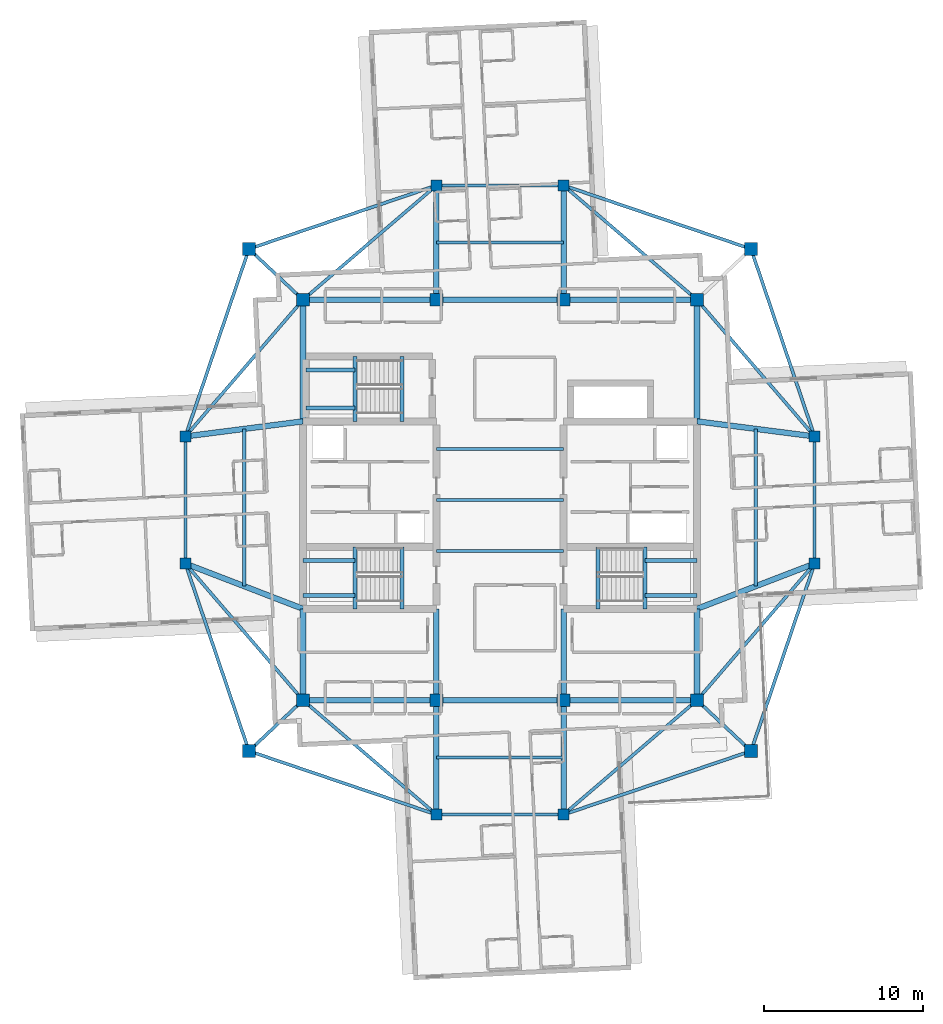
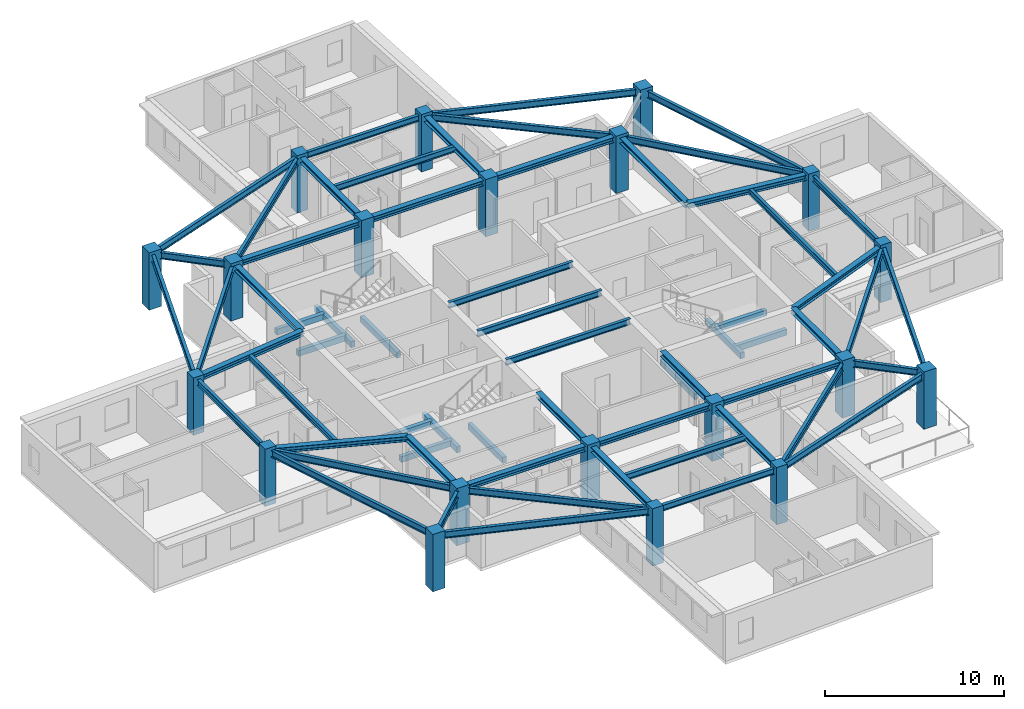
# One storey, part 1 of 13: 62 beams, 20 columns.
"""IFC4 building model written with IfcOpenShell, lengths in metres."""

from ifc_helpers import new_model, si_unit, direction, frame, origin, origin_2d, place, context, subcontext, project, spatial, rectangle, i_section, extrude, material, material_profile, profile_set, type_object, element, save


model = new_model("IFC4")

# Units and contexts
model_context = context("Model", 3, precision=1e-05, world=origin(), true_north=direction((0.0, 1.0)))
body_context = subcontext(model_context, "Body", "Model", "MODEL_VIEW")
ifc_project = project(units=[si_unit("LENGTHUNIT", "METRE"), si_unit("AREAUNIT", "SQUARE_METRE"), si_unit("VOLUMEUNIT", "CUBIC_METRE"), si_unit("PLANEANGLEUNIT", "RADIAN"), si_unit("MASSUNIT", "GRAM", prefix="KILO")], contexts=[model_context])

# Site, building, storey
site_placement = place(None, origin())
site = spatial("IfcSite", under=ifc_project, at=site_placement, CompositionType="ELEMENT")
building_placement = place(site_placement, origin())
building = spatial("IfcBuilding", under=site, at=building_placement, Name="Qingluan Cross Belvedere", CompositionType="ELEMENT")
storey_placement = place(building_placement, frame((0.0, 0.0, 277.199951171875)))
storey = spatial("IfcBuildingStorey", under=building, at=storey_placement, Name="L69", CompositionType="ELEMENT", Elevation=277.199951171875)

# Columns
ifc_material_1 = material(Name="Concrete C50", Category="concrete")
ifc_material_profile_1 = material_profile(ifc_material_1, rectangle(XDim=0.699951171875, YDim=0.699951171875, at=origin_2d()), Name="RC700x700")
ifc_profile_set_1 = profile_set([ifc_material_profile_1], Name="Concrete C50")
column_type_1 = type_object("IfcColumnType", Name="Column_RC700x700", PredefinedType="COLUMN", material=ifc_profile_set_1)
for number, where, z_axis, x_axis, name in (
    (1, (19.800048828125, -4.0, 0.0), (0.0, 0.0, 1.0), (1.0, 0.0, 0.0), "Arm column L69-EIA"),
    (2, (19.800048828125, 4.0, 0.0), (0.0, 0.0, 1.0), (1.0, 0.0, 0.0), "Arm column L69-EIB"),
    (3, (-19.800048828125, -4.0, 0.0), (0.0, 0.0, 1.0), (1.0, 0.0, 0.0), "Arm column L69-WIA"),
    (4, (-19.800048828125, 4.0, 0.0), (0.0, 0.0, 1.0), (1.0, 0.0, 0.0), "Arm column L69-WIB"),
    (5, (-4.0, -19.800048828125, 0.0), (0.0, 0.0, 1.0), (1.0, 0.0, 0.0), "Arm column L69-SIA"),
    (6, (4.0, -19.800048828125, 0.0), (0.0, 0.0, 1.0), (1.0, 0.0, 0.0), "Arm column L69-SIB"),
    (7, (-4.0, 19.800048828125, 0.0), (0.0, 0.0, 1.0), (1.0, 0.0, 0.0), "Arm column L69-NIA"),
    (8, (4.0, 19.800048828125, 0.0), (0.0, 0.0, 1.0), (1.0, 0.0, 0.0), "Arm column L69-NIB"),
):
    element("IfcColumn", number, at=place(storey_placement, frame(where, z_axis=z_axis, x_axis=x_axis)), inside=storey, type_object=column_type_1, Name=name, PredefinedType="COLUMN", context=body_context, shape_type="SweptSolid", body=[
        extrude(rectangle(XDim=0.699951171875, YDim=0.699951171875, at=origin_2d()), origin(), (0.0, 0.0, 1.0), 3.900146484375),
    ])
ifc_material_2 = material(Name="Concrete C50", Category="concrete")
ifc_material_profile_2 = material_profile(ifc_material_2, rectangle(XDim=0.800048828125, YDim=0.800048828125, at=origin_2d()), Name="RC800x800")
ifc_profile_set_2 = profile_set([ifc_material_profile_2], Name="Concrete C50")
column_type_2 = type_object("IfcColumnType", Name="Column_RC800x800", PredefinedType="COLUMN", material=ifc_profile_set_2)
for number, where, z_axis, x_axis, name in (
    (9, (15.800048828125, 15.800048828125, 0.0), (0.0, 0.0, 1.0), (1.0, 0.0, 0.0), "Corner column L69-RNE"),
    (10, (-15.800048828125, 15.800048828125, 0.0), (0.0, 0.0, 1.0), (1.0, 0.0, 0.0), "Corner column L69-RNW"),
    (11, (-15.800048828125, -15.800048828125, 0.0), (0.0, 0.0, 1.0), (1.0, 0.0, 0.0), "Corner column L69-RSW"),
    (12, (15.800048828125, -15.800048828125, 0.0), (0.0, 0.0, 1.0), (1.0, 0.0, 0.0), "Corner column L69-RSE"),
    (13, (-12.39990234375, -12.60009765625, 0.0), (0.0, 0.0, 1.0), (1.0, 0.0, 0.0), "Hub column L69-HC1"),
    (14, (12.39990234375, -12.60009765625, 0.0), (0.0, 0.0, 1.0), (1.0, 0.0, 0.0), "Hub column L69-HC2"),
    (15, (12.39990234375, 12.60009765625, 0.0), (0.0, 0.0, 1.0), (1.0, 0.0, 0.0), "Hub column L69-HC3"),
    (16, (-12.39990234375, 12.60009765625, 0.0), (0.0, 0.0, 1.0), (1.0, 0.0, 0.0), "Hub column L69-HC4"),
    (17, (-4.0, -12.60009765625, 0.0), (0.0, 0.0, 1.0), (1.0, 0.0, 0.0), "Hub column L69-HC5"),
    (18, (4.0, -12.60009765625, 0.0), (0.0, 0.0, 1.0), (1.0, 0.0, 0.0), "Hub column L69-HC6"),
    (19, (4.0, 12.60009765625, 0.0), (0.0, 0.0, 1.0), (1.0, 0.0, 0.0), "Hub column L69-HC7"),
    (20, (-4.0, 12.60009765625, 0.0), (0.0, 0.0, 1.0), (1.0, 0.0, 0.0), "Hub column L69-HC8"),
):
    element("IfcColumn", number, at=place(storey_placement, frame(where, z_axis=z_axis, x_axis=x_axis)), inside=storey, type_object=column_type_2, Name=name, PredefinedType="COLUMN", context=body_context, shape_type="SweptSolid", body=[
        extrude(rectangle(XDim=0.800048828125, YDim=0.800048828125, at=origin_2d()), origin(), (0.0, 0.0, 1.0), 3.900146484375),
    ])

# Beams
ifc_material_3 = material(Name="Concrete C45", Category="concrete")
ifc_material_profile_3 = material_profile(ifc_material_3, rectangle(XDim=0.25, YDim=0.39990234375, at=origin_2d()), Name="RC250x400")
ifc_profile_set_3 = profile_set([ifc_material_profile_3], Name="Concrete C45")
beam_type_1 = type_object("IfcBeamType", Name="RC_Lintel_RC250x400", PredefinedType="LINTEL", material=ifc_profile_set_3)
for number, where, z_axis, x_axis, name in (
    (21, (-6.179931640625, -6.85009765625, -0.199951171875), (0.0, 1.0, 0.0), (-1.0, 0.0, 0.0), "Stair ST1 landing beam L69"),
    (22, (6.179931640625, -6.85009765625, -0.199951171875), (0.0, 1.0, 0.0), (-1.0, 0.0, 0.0), "Stair ST2 landing beam L69"),
):
    element("IfcBeam", number, at=place(storey_placement, frame(where, z_axis=z_axis, x_axis=x_axis)), inside=storey, type_object=beam_type_1, Name=name, PredefinedType="LINTEL", context=body_context, shape_type="SweptSolid", body=[
        extrude(rectangle(XDim=0.25, YDim=0.39990234375, at=origin_2d()), origin(), (0.0, 0.0, 1.0), 3.89013671875),
    ])
beam_1_placement = place(storey_placement, frame((-6.179931640625, 4.949951171875, -0.199951171875), z_axis=(0.0, 1.0, 0.0), x_axis=(-1.0, 0.0, 0.0)))
element("IfcBeam", 23, at=beam_1_placement, inside=storey, type_object=beam_type_1, Name="Stair ST3 landing beam L69", PredefinedType="LINTEL", context=body_context, shape_type="SweptSolid", body=[
    extrude(rectangle(XDim=0.25, YDim=0.39990234375, at=origin_2d()), origin(), (0.0, 0.0, 1.0), 4.090087890625),
])
beam_2_placement = place(storey_placement, frame((-9.1298828125, -6.85009765625, 1.550048828125), z_axis=(0.0, 1.0, 0.0), x_axis=(-1.0, 0.0, 0.0)))
element("IfcBeam", 24, at=beam_2_placement, inside=storey, type_object=beam_type_1, Name="Stair ST1 beam A L69", PredefinedType="LINTEL", context=body_context, shape_type="SweptSolid", body=[
    extrude(rectangle(XDim=0.25, YDim=0.39990234375, at=origin_2d()), origin(), (0.0, 0.0, 1.0), 3.89013671875),
])
for number, where, z_axis, x_axis, name in (
    (25, (-12.39990234375, -6.0, 1.550048828125), (1.0, 0.0, 0.0), (0.0, 1.0, 0.0), "Stair ST1 beam B L69"),
    (26, (-12.39990234375, -3.81005859375, 1.550048828125), (1.0, 0.0, 0.0), (0.0, 1.0, 0.0), "Stair ST1 beam C L69"),
):
    element("IfcBeam", number, at=place(storey_placement, frame(where, z_axis=z_axis, x_axis=x_axis)), inside=storey, type_object=beam_type_1, Name=name, PredefinedType="LINTEL", context=body_context, shape_type="SweptSolid", body=[
        extrude(rectangle(XDim=0.25, YDim=0.39990234375, at=origin_2d()), origin(), (0.0, 0.0, 1.0), 3.27001953125),
    ])
beam_3_placement = place(storey_placement, frame((9.1298828125, -6.85009765625, 1.550048828125), z_axis=(0.0, 1.0, 0.0), x_axis=(-1.0, 0.0, 0.0)))
element("IfcBeam", 27, at=beam_3_placement, inside=storey, type_object=beam_type_1, Name="Stair ST2 beam A L69", PredefinedType="LINTEL", context=body_context, shape_type="SweptSolid", body=[
    extrude(rectangle(XDim=0.25, YDim=0.39990234375, at=origin_2d()), origin(), (0.0, 0.0, 1.0), 3.89013671875),
])
for number, where, z_axis, x_axis, name in (
    (28, (12.39990234375, -6.0, 1.550048828125), (-1.0, 0.0, 0.0), (0.0, -1.0, 0.0), "Stair ST2 beam B L69"),
    (29, (12.39990234375, -3.81005859375, 1.550048828125), (-1.0, 0.0, 0.0), (0.0, -1.0, 0.0), "Stair ST2 beam C L69"),
):
    element("IfcBeam", number, at=place(storey_placement, frame(where, z_axis=z_axis, x_axis=x_axis)), inside=storey, type_object=beam_type_1, Name=name, PredefinedType="LINTEL", context=body_context, shape_type="SweptSolid", body=[
        extrude(rectangle(XDim=0.25, YDim=0.39990234375, at=origin_2d()), origin(), (0.0, 0.0, 1.0), 3.27001953125),
    ])
beam_4_placement = place(storey_placement, frame((-9.1298828125, 4.949951171875, 1.550048828125), z_axis=(0.0, 1.0, 0.0), x_axis=(-1.0, 0.0, 0.0)))
element("IfcBeam", 30, at=beam_4_placement, inside=storey, type_object=beam_type_1, Name="Stair ST3 beam A L69", PredefinedType="LINTEL", context=body_context, shape_type="SweptSolid", body=[
    extrude(rectangle(XDim=0.25, YDim=0.39990234375, at=origin_2d()), origin(), (0.0, 0.0, 1.0), 4.090087890625),
])
for number, where, z_axis, x_axis, name in (
    (31, (-12.219970703125, 5.800048828125, 1.550048828125), (1.0, 0.0, 0.0), (0.0, 1.0, 0.0), "Stair ST3 beam B L69"),
    (32, (-12.219970703125, 8.18994140625, 1.550048828125), (1.0, 0.0, 0.0), (0.0, 1.0, 0.0), "Stair ST3 beam C L69"),
):
    element("IfcBeam", number, at=place(storey_placement, frame(where, z_axis=z_axis, x_axis=x_axis)), inside=storey, type_object=beam_type_1, Name=name, PredefinedType="LINTEL", context=body_context, shape_type="SweptSolid", body=[
        extrude(rectangle(XDim=0.25, YDim=0.39990234375, at=origin_2d()), origin(), (0.0, 0.0, 1.0), 3.090087890625),
    ])
ifc_material_4 = material(Name="Steel Q420GJB", Category="steel")
ifc_material_profile_4 = material_profile(ifc_material_4, i_section(OverallWidth=0.199951171875, OverallDepth=0.39990234375, WebThickness=0.008056640625, FlangeThickness=0.012939453125, FilletRadius=0.012939453125, at=origin_2d()), Name="HN400x200x8x13")
ifc_profile_set_4 = profile_set([ifc_material_profile_4], Name="Steel Q420GJB")
beam_type_2 = type_object("IfcBeamType", Name="Steel_Beam_HN400x200x8x13", PredefinedType="JOIST", material=ifc_profile_set_4)
for number, where, z_axis, x_axis, name in (
    (33, (-4.0, -3.199951171875, 3.5), (1.0, 0.0, 0.0), (0.0, 1.0, 0.0), "Hall beam L69-CH1"),
    (34, (-4.0, 0.0, 3.5), (1.0, 0.0, 0.0), (0.0, 1.0, 0.0), "Hall beam L69-CH2"),
    (35, (-4.0, 3.199951171875, 3.5), (1.0, 0.0, 0.0), (0.0, 1.0, 0.0), "Hall beam L69-CH3"),
    (36, (19.800048828125, -4.0, 3.5), (0.0, 1.0, 0.0), (-1.0, 0.0, 0.0), "Arm E tie L69"),
):
    element("IfcBeam", number, at=place(storey_placement, frame(where, z_axis=z_axis, x_axis=x_axis)), inside=storey, type_object=beam_type_2, Name=name, PredefinedType="JOIST", context=body_context, shape_type="SweptSolid", body=[
        extrude(i_section(OverallWidth=0.199951171875, OverallDepth=0.39990234375, WebThickness=0.008056640625, FlangeThickness=0.012939453125, FilletRadius=0.012939453125, at=origin_2d()), origin(), (0.0, 0.0, 1.0), 8.0),
    ])
beam_5_placement = place(storey_placement, frame((16.10009765625, -5.425048828125, 3.5), z_axis=(0.0, 1.0, 0.0), x_axis=(-1.0, 0.0, 0.0)))
element("IfcBeam", 37, at=beam_5_placement, inside=storey, type_object=beam_type_2, Name="Arm E beam L69", PredefinedType="JOIST", context=body_context, shape_type="SweptSolid", body=[
    extrude(i_section(OverallWidth=0.199951171875, OverallDepth=0.39990234375, WebThickness=0.008056640625, FlangeThickness=0.012939453125, FilletRadius=0.012939453125, at=origin_2d()), origin(), (0.0, 0.0, 1.0), 9.900146484375),
])
beam_6_placement = place(storey_placement, frame((-19.800048828125, -4.0, 3.5), z_axis=(0.0, 1.0, 0.0), x_axis=(-1.0, 0.0, 0.0)))
element("IfcBeam", 38, at=beam_6_placement, inside=storey, type_object=beam_type_2, Name="Arm W tie L69", PredefinedType="JOIST", context=body_context, shape_type="SweptSolid", body=[
    extrude(i_section(OverallWidth=0.199951171875, OverallDepth=0.39990234375, WebThickness=0.008056640625, FlangeThickness=0.012939453125, FilletRadius=0.012939453125, at=origin_2d()), origin(), (0.0, 0.0, 1.0), 8.0),
])
beam_7_placement = place(storey_placement, frame((-16.10009765625, -5.425048828125, 3.5), z_axis=(0.0, 1.0, 0.0), x_axis=(-1.0, 0.0, 0.0)))
element("IfcBeam", 39, at=beam_7_placement, inside=storey, type_object=beam_type_2, Name="Arm W beam L69", PredefinedType="JOIST", context=body_context, shape_type="SweptSolid", body=[
    extrude(i_section(OverallWidth=0.199951171875, OverallDepth=0.39990234375, WebThickness=0.008056640625, FlangeThickness=0.012939453125, FilletRadius=0.012939453125, at=origin_2d()), origin(), (0.0, 0.0, 1.0), 9.900146484375),
])
for number, where, z_axis, x_axis, name in (
    (40, (-4.0, 19.800048828125, 3.5), (1.0, 0.0, 0.0), (0.0, 1.0, 0.0), "Arm N tie L69"),
    (41, (-4.0, 16.199951171875, 3.5), (1.0, 0.0, 0.0), (0.0, 1.0, 0.0), "Arm N beam L69"),
    (42, (-4.0, -19.800048828125, 3.5), (1.0, 0.0, 0.0), (0.0, 1.0, 0.0), "Arm S tie L69"),
    (43, (-4.0, -16.199951171875, 3.5), (1.0, 0.0, 0.0), (0.0, 1.0, 0.0), "Arm S beam L69"),
):
    element("IfcBeam", number, at=place(storey_placement, frame(where, z_axis=z_axis, x_axis=x_axis)), inside=storey, type_object=beam_type_2, Name=name, PredefinedType="JOIST", context=body_context, shape_type="SweptSolid", body=[
        extrude(i_section(OverallWidth=0.199951171875, OverallDepth=0.39990234375, WebThickness=0.008056640625, FlangeThickness=0.012939453125, FilletRadius=0.012939453125, at=origin_2d()), origin(), (0.0, 0.0, 1.0), 8.0),
    ])
ifc_material_5 = material(Name="Steel Q420GJB", Category="steel")
ifc_material_profile_5 = material_profile(ifc_material_5, i_section(OverallWidth=0.199951171875, OverallDepth=0.449951171875, WebThickness=0.009033203125, FlangeThickness=0.013916015625, FilletRadius=0.01611328125, at=origin_2d()), Name="HN450x200x9x14")
ifc_profile_set_5 = profile_set([ifc_material_profile_5], Name="Steel Q420GJB")
beam_type_3 = type_object("IfcBeamType", Name="Steel_Beam_HN450x200x9x14", PredefinedType="JOIST", material=ifc_profile_set_5)
for number, where, z_axis, x_axis, name in (
    (44, (15.800048828125, 15.800048828125, 3.47509765625), (-0.947066283324, 0.321038089628, 0.0), (-0.321038089628, -0.947066283324, 0.0), "Corner beam 2 L69-RNE"),
    (45, (15.800048828125, 15.800048828125, 3.47509765625), (0.321038089628, -0.947066283324, 0.0), (0.947066283324, 0.321038089628, 0.0), "Corner beam 3 L69-RNE"),
):
    element("IfcBeam", number, at=place(storey_placement, frame(where, z_axis=z_axis, x_axis=x_axis)), inside=storey, type_object=beam_type_3, Name=name, PredefinedType="JOIST", context=body_context, shape_type="SweptSolid", body=[
        extrude(i_section(OverallWidth=0.199951171875, OverallDepth=0.449951171875, WebThickness=0.009033203125, FlangeThickness=0.013916015625, FilletRadius=0.01611328125, at=origin_2d()), origin(), (0.0, 0.0, 1.0), 12.45947265625),
    ])
beam_8_placement = place(storey_placement, frame((12.39990234375, 12.60009765625, 3.47509765625), z_axis=(0.652245077546, -0.75800815221, 0.0), x_axis=(0.75800815221, 0.652245077546, 0.0)))
element("IfcBeam", 46, at=beam_8_placement, inside=storey, type_object=beam_type_3, Name="Corner beam 4 L69-RNE", PredefinedType="JOIST", context=body_context, shape_type="SweptSolid", body=[
    extrude(i_section(OverallWidth=0.199951171875, OverallDepth=0.449951171875, WebThickness=0.009033203125, FlangeThickness=0.013916015625, FilletRadius=0.01611328125, at=origin_2d()), origin(), (0.0, 0.0, 1.0), 11.345703125),
])
beam_9_placement = place(storey_placement, frame((12.39990234375, 12.60009765625, 3.47509765625), z_axis=(-0.759255044656, 0.650793190779, 0.0), x_axis=(-0.650793190779, -0.759255044656, 0.0)))
element("IfcBeam", 47, at=beam_9_placement, inside=storey, type_object=beam_type_3, Name="Corner beam 5 L69-RNE", PredefinedType="JOIST", context=body_context, shape_type="SweptSolid", body=[
    extrude(i_section(OverallWidth=0.199951171875, OverallDepth=0.449951171875, WebThickness=0.009033203125, FlangeThickness=0.013916015625, FilletRadius=0.01611328125, at=origin_2d()), origin(), (0.0, 0.0, 1.0), 11.063232421875),
])
beam_10_placement = place(storey_placement, frame((-12.39990234375, 12.60009765625, 3.47509765625), z_axis=(-0.728219948308, 0.685343495546, 0.0), x_axis=(-0.685343495546, -0.728219948308, 0.0)))
element("IfcBeam", 48, at=beam_10_placement, inside=storey, type_object=beam_type_3, Name="Corner beam 1 L69-RNW", PredefinedType="JOIST", context=body_context, shape_type="SweptSolid", body=[
    extrude(i_section(OverallWidth=0.199951171875, OverallDepth=0.449951171875, WebThickness=0.009033203125, FlangeThickness=0.013916015625, FilletRadius=0.01611328125, at=origin_2d()), origin(), (0.0, 0.0, 1.0), 4.669189453125),
])
for number, where, z_axis, x_axis, name in (
    (49, (-15.800048828125, 15.800048828125, 3.47509765625), (0.947066283324, 0.321038089628, 0.0), (-0.321038089628, 0.947066283324, 0.0), "Corner beam 2 L69-RNW"),
    (50, (-15.800048828125, 15.800048828125, 3.47509765625), (-0.321038089628, -0.947066283324, 0.0), (0.947066283324, -0.321038089628, 0.0), "Corner beam 3 L69-RNW"),
):
    element("IfcBeam", number, at=place(storey_placement, frame(where, z_axis=z_axis, x_axis=x_axis)), inside=storey, type_object=beam_type_3, Name=name, PredefinedType="JOIST", context=body_context, shape_type="SweptSolid", body=[
        extrude(i_section(OverallWidth=0.199951171875, OverallDepth=0.449951171875, WebThickness=0.009033203125, FlangeThickness=0.013916015625, FilletRadius=0.01611328125, at=origin_2d()), origin(), (0.0, 0.0, 1.0), 12.45947265625),
    ])
beam_11_placement = place(storey_placement, frame((-12.39990234375, 12.60009765625, 3.47509765625), z_axis=(-0.652245077546, -0.75800815221, 0.0), x_axis=(0.75800815221, -0.652245077546, 0.0)))
element("IfcBeam", 51, at=beam_11_placement, inside=storey, type_object=beam_type_3, Name="Corner beam 4 L69-RNW", PredefinedType="JOIST", context=body_context, shape_type="SweptSolid", body=[
    extrude(i_section(OverallWidth=0.199951171875, OverallDepth=0.449951171875, WebThickness=0.009033203125, FlangeThickness=0.013916015625, FilletRadius=0.01611328125, at=origin_2d()), origin(), (0.0, 0.0, 1.0), 11.345703125),
])
beam_12_placement = place(storey_placement, frame((-12.39990234375, 12.60009765625, 3.47509765625), z_axis=(0.759255044656, 0.650793190779, 0.0), x_axis=(-0.650793190779, 0.759255044656, 0.0)))
element("IfcBeam", 52, at=beam_12_placement, inside=storey, type_object=beam_type_3, Name="Corner beam 5 L69-RNW", PredefinedType="JOIST", context=body_context, shape_type="SweptSolid", body=[
    extrude(i_section(OverallWidth=0.199951171875, OverallDepth=0.449951171875, WebThickness=0.009033203125, FlangeThickness=0.013916015625, FilletRadius=0.01611328125, at=origin_2d()), origin(), (0.0, 0.0, 1.0), 11.063232421875),
])
beam_13_placement = place(storey_placement, frame((-12.39990234375, -12.60009765625, 3.47509765625), z_axis=(-0.728219948308, -0.685343495546, 0.0), x_axis=(0.685343495546, -0.728219948308, 0.0)))
element("IfcBeam", 53, at=beam_13_placement, inside=storey, type_object=beam_type_3, Name="Corner beam 1 L69-RSW", PredefinedType="JOIST", context=body_context, shape_type="SweptSolid", body=[
    extrude(i_section(OverallWidth=0.199951171875, OverallDepth=0.449951171875, WebThickness=0.009033203125, FlangeThickness=0.013916015625, FilletRadius=0.01611328125, at=origin_2d()), origin(), (0.0, 0.0, 1.0), 4.669189453125),
])
for number, where, z_axis, x_axis, name in (
    (54, (-15.800048828125, -15.800048828125, 3.47509765625), (0.947066283324, -0.321038089628, 0.0), (0.321038089628, 0.947066283324, 0.0), "Corner beam 2 L69-RSW"),
    (55, (-15.800048828125, -15.800048828125, 3.47509765625), (-0.321038089628, 0.947066283324, 0.0), (-0.947066283324, -0.321038089628, 0.0), "Corner beam 3 L69-RSW"),
):
    element("IfcBeam", number, at=place(storey_placement, frame(where, z_axis=z_axis, x_axis=x_axis)), inside=storey, type_object=beam_type_3, Name=name, PredefinedType="JOIST", context=body_context, shape_type="SweptSolid", body=[
        extrude(i_section(OverallWidth=0.199951171875, OverallDepth=0.449951171875, WebThickness=0.009033203125, FlangeThickness=0.013916015625, FilletRadius=0.01611328125, at=origin_2d()), origin(), (0.0, 0.0, 1.0), 12.45947265625),
    ])
beam_14_placement = place(storey_placement, frame((-12.39990234375, -12.60009765625, 3.47509765625), z_axis=(-0.652245077546, 0.75800815221, 0.0), x_axis=(-0.75800815221, -0.652245077546, 0.0)))
element("IfcBeam", 56, at=beam_14_placement, inside=storey, type_object=beam_type_3, Name="Corner beam 4 L69-RSW", PredefinedType="JOIST", context=body_context, shape_type="SweptSolid", body=[
    extrude(i_section(OverallWidth=0.199951171875, OverallDepth=0.449951171875, WebThickness=0.009033203125, FlangeThickness=0.013916015625, FilletRadius=0.01611328125, at=origin_2d()), origin(), (0.0, 0.0, 1.0), 11.345703125),
])
beam_15_placement = place(storey_placement, frame((-12.39990234375, -12.60009765625, 3.47509765625), z_axis=(0.759255044656, -0.650793190779, 0.0), x_axis=(0.650793190779, 0.759255044656, 0.0)))
element("IfcBeam", 57, at=beam_15_placement, inside=storey, type_object=beam_type_3, Name="Corner beam 5 L69-RSW", PredefinedType="JOIST", context=body_context, shape_type="SweptSolid", body=[
    extrude(i_section(OverallWidth=0.199951171875, OverallDepth=0.449951171875, WebThickness=0.009033203125, FlangeThickness=0.013916015625, FilletRadius=0.01611328125, at=origin_2d()), origin(), (0.0, 0.0, 1.0), 11.063232421875),
])
beam_16_placement = place(storey_placement, frame((12.39990234375, -12.60009765625, 3.455078125), z_axis=(0.728219948308, -0.685343495546, 0.0), x_axis=(0.685343495546, 0.728219948308, 0.0)))
element("IfcBeam", 58, at=beam_16_placement, inside=storey, type_object=beam_type_3, Name="Corner beam 1 L69-RSE", PredefinedType="JOIST", context=body_context, shape_type="SweptSolid", body=[
    extrude(i_section(OverallWidth=0.199951171875, OverallDepth=0.449951171875, WebThickness=0.009033203125, FlangeThickness=0.013916015625, FilletRadius=0.01611328125, at=origin_2d()), origin(), (0.0, 0.0, 1.0), 4.669189453125),
])
for number, where, z_axis, x_axis, name in (
    (59, (15.800048828125, -15.800048828125, 3.455078125), (-0.947066283324, -0.321038089628, 0.0), (0.321038089628, -0.947066283324, 0.0), "Corner beam 2 L69-RSE"),
    (60, (15.800048828125, -15.800048828125, 3.455078125), (0.321038089628, 0.947066283324, 0.0), (-0.947066283324, 0.321038089628, 0.0), "Corner beam 3 L69-RSE"),
):
    element("IfcBeam", number, at=place(storey_placement, frame(where, z_axis=z_axis, x_axis=x_axis)), inside=storey, type_object=beam_type_3, Name=name, PredefinedType="JOIST", context=body_context, shape_type="SweptSolid", body=[
        extrude(i_section(OverallWidth=0.199951171875, OverallDepth=0.449951171875, WebThickness=0.009033203125, FlangeThickness=0.013916015625, FilletRadius=0.01611328125, at=origin_2d()), origin(), (0.0, 0.0, 1.0), 12.45947265625),
    ])
beam_17_placement = place(storey_placement, frame((12.39990234375, -12.60009765625, 3.455078125), z_axis=(0.652245077546, 0.75800815221, 0.0), x_axis=(-0.75800815221, 0.652245077546, 0.0)))
element("IfcBeam", 61, at=beam_17_placement, inside=storey, type_object=beam_type_3, Name="Corner beam 4 L69-RSE", PredefinedType="JOIST", context=body_context, shape_type="SweptSolid", body=[
    extrude(i_section(OverallWidth=0.199951171875, OverallDepth=0.449951171875, WebThickness=0.009033203125, FlangeThickness=0.013916015625, FilletRadius=0.01611328125, at=origin_2d()), origin(), (0.0, 0.0, 1.0), 11.345703125),
])
beam_18_placement = place(storey_placement, frame((12.39990234375, -12.60009765625, 3.455078125), z_axis=(-0.759255044656, -0.650793190779, 0.0), x_axis=(0.650793190779, -0.759255044656, 0.0)))
element("IfcBeam", 62, at=beam_18_placement, inside=storey, type_object=beam_type_3, Name="Corner beam 5 L69-RSE", PredefinedType="JOIST", context=body_context, shape_type="SweptSolid", body=[
    extrude(i_section(OverallWidth=0.199951171875, OverallDepth=0.449951171875, WebThickness=0.009033203125, FlangeThickness=0.013916015625, FilletRadius=0.01611328125, at=origin_2d()), origin(), (0.0, 0.0, 1.0), 11.063232421875),
])
ifc_material_6 = material(Name="Steel Q420GJB", Category="steel")
ifc_material_profile_6 = material_profile(ifc_material_6, i_section(OverallWidth=0.35009765625, OverallDepth=0.35009765625, WebThickness=0.011962890625, FlangeThickness=0.01904296875, FilletRadius=0.02001953125, at=origin_2d()), Name="HW350x350x12x19")
ifc_profile_set_6 = profile_set([ifc_material_profile_6], Name="Steel Q420GJB")
beam_type_4 = type_object("IfcBeamType", Name="Steel_Girder_HW350x350x12x19", PredefinedType="USERDEFINED", material=ifc_profile_set_6)
beam_19_placement = place(storey_placement, frame((-12.39990234375, -12.60009765625, 3.525146484375), z_axis=(1.0, 0.0, 0.0), x_axis=(0.0, 1.0, 0.0)))
element("IfcBeam", 63, at=beam_19_placement, inside=storey, type_object=beam_type_4, Name="Hub girder L69-HG-S1", ObjectType="GIRDER", PredefinedType="USERDEFINED", context=body_context, shape_type="SweptSolid", body=[
    extrude(i_section(OverallWidth=0.35009765625, OverallDepth=0.35009765625, WebThickness=0.011962890625, FlangeThickness=0.01904296875, FilletRadius=0.02001953125, at=origin_2d()), origin(), (0.0, 0.0, 1.0), 8.39990234375),
])
beam_20_placement = place(storey_placement, frame((-4.0, -12.60009765625, 3.525146484375), z_axis=(1.0, 0.0, 0.0), x_axis=(0.0, 1.0, 0.0)))
element("IfcBeam", 64, at=beam_20_placement, inside=storey, type_object=beam_type_4, Name="Hub girder L69-HG-S2", ObjectType="GIRDER", PredefinedType="USERDEFINED", context=body_context, shape_type="SweptSolid", body=[
    extrude(i_section(OverallWidth=0.35009765625, OverallDepth=0.35009765625, WebThickness=0.011962890625, FlangeThickness=0.01904296875, FilletRadius=0.02001953125, at=origin_2d()), origin(), (0.0, 0.0, 1.0), 8.0),
])
for number, where, z_axis, x_axis, name in (
    (65, (4.0, -12.60009765625, 3.525146484375), (1.0, 0.0, 0.0), (0.0, 1.0, 0.0), "Hub girder L69-HG-S3"),
    (66, (-12.39990234375, 12.60009765625, 3.525146484375), (1.0, 0.0, 0.0), (0.0, 1.0, 0.0), "Hub girder L69-HG-N1"),
):
    element("IfcBeam", number, at=place(storey_placement, frame(where, z_axis=z_axis, x_axis=x_axis)), inside=storey, type_object=beam_type_4, Name=name, ObjectType="GIRDER", PredefinedType="USERDEFINED", context=body_context, shape_type="SweptSolid", body=[
        extrude(i_section(OverallWidth=0.35009765625, OverallDepth=0.35009765625, WebThickness=0.011962890625, FlangeThickness=0.01904296875, FilletRadius=0.02001953125, at=origin_2d()), origin(), (0.0, 0.0, 1.0), 8.39990234375),
    ])
beam_21_placement = place(storey_placement, frame((-4.0, 12.60009765625, 3.525146484375), z_axis=(1.0, 0.0, 0.0), x_axis=(0.0, 1.0, 0.0)))
element("IfcBeam", 67, at=beam_21_placement, inside=storey, type_object=beam_type_4, Name="Hub girder L69-HG-N2", ObjectType="GIRDER", PredefinedType="USERDEFINED", context=body_context, shape_type="SweptSolid", body=[
    extrude(i_section(OverallWidth=0.35009765625, OverallDepth=0.35009765625, WebThickness=0.011962890625, FlangeThickness=0.01904296875, FilletRadius=0.02001953125, at=origin_2d()), origin(), (0.0, 0.0, 1.0), 8.0),
])
beam_22_placement = place(storey_placement, frame((4.0, 12.60009765625, 3.525146484375), z_axis=(1.0, 0.0, 0.0), x_axis=(0.0, 1.0, 0.0)))
element("IfcBeam", 68, at=beam_22_placement, inside=storey, type_object=beam_type_4, Name="Hub girder L69-HG-N3", ObjectType="GIRDER", PredefinedType="USERDEFINED", context=body_context, shape_type="SweptSolid", body=[
    extrude(i_section(OverallWidth=0.35009765625, OverallDepth=0.35009765625, WebThickness=0.011962890625, FlangeThickness=0.01904296875, FilletRadius=0.02001953125, at=origin_2d()), origin(), (0.0, 0.0, 1.0), 8.39990234375),
])
beam_23_placement = place(storey_placement, frame((-12.39990234375, -12.60009765625, 3.525146484375), z_axis=(0.0, 1.0, 0.0), x_axis=(-1.0, 0.0, 0.0)))
element("IfcBeam", 69, at=beam_23_placement, inside=storey, type_object=beam_type_4, Name="Hub girder L69-HG-W1", ObjectType="GIRDER", PredefinedType="USERDEFINED", context=body_context, shape_type="SweptSolid", body=[
    extrude(i_section(OverallWidth=0.35009765625, OverallDepth=0.35009765625, WebThickness=0.011962890625, FlangeThickness=0.01904296875, FilletRadius=0.02001953125, at=origin_2d()), origin(), (0.0, 0.0, 1.0), 5.75),
])
beam_24_placement = place(storey_placement, frame((-12.39990234375, 4.949951171875, 3.525146484375), z_axis=(0.0, 1.0, 0.0), x_axis=(-1.0, 0.0, 0.0)))
element("IfcBeam", 70, at=beam_24_placement, inside=storey, type_object=beam_type_4, Name="Hub girder L69-HG-W2", ObjectType="GIRDER", PredefinedType="USERDEFINED", context=body_context, shape_type="SweptSolid", body=[
    extrude(i_section(OverallWidth=0.35009765625, OverallDepth=0.35009765625, WebThickness=0.011962890625, FlangeThickness=0.01904296875, FilletRadius=0.02001953125, at=origin_2d()), origin(), (0.0, 0.0, 1.0), 7.650146484375),
])
beam_25_placement = place(storey_placement, frame((12.39990234375, -12.60009765625, 3.525146484375), z_axis=(0.0, 1.0, 0.0), x_axis=(-1.0, 0.0, 0.0)))
element("IfcBeam", 71, at=beam_25_placement, inside=storey, type_object=beam_type_4, Name="Hub girder L69-HG-E1", ObjectType="GIRDER", PredefinedType="USERDEFINED", context=body_context, shape_type="SweptSolid", body=[
    extrude(i_section(OverallWidth=0.35009765625, OverallDepth=0.35009765625, WebThickness=0.011962890625, FlangeThickness=0.01904296875, FilletRadius=0.02001953125, at=origin_2d()), origin(), (0.0, 0.0, 1.0), 5.75),
])
beam_26_placement = place(storey_placement, frame((12.39990234375, 4.949951171875, 3.525146484375), z_axis=(0.0, 1.0, 0.0), x_axis=(-1.0, 0.0, 0.0)))
element("IfcBeam", 72, at=beam_26_placement, inside=storey, type_object=beam_type_4, Name="Hub girder L69-HG-E2", ObjectType="GIRDER", PredefinedType="USERDEFINED", context=body_context, shape_type="SweptSolid", body=[
    extrude(i_section(OverallWidth=0.35009765625, OverallDepth=0.35009765625, WebThickness=0.011962890625, FlangeThickness=0.01904296875, FilletRadius=0.02001953125, at=origin_2d()), origin(), (0.0, 0.0, 1.0), 7.650146484375),
])
for number, where, z_axis, x_axis, name in (
    (73, (-4.0, -12.60009765625, 3.525146484375), (0.0, 1.0, 0.0), (-1.0, 0.0, 0.0), "Hub girder L69-HG-CW"),
    (74, (4.0, -12.60009765625, 3.525146484375), (0.0, 1.0, 0.0), (-1.0, 0.0, 0.0), "Hub girder L69-HG-CE"),
):
    element("IfcBeam", number, at=place(storey_placement, frame(where, z_axis=z_axis, x_axis=x_axis)), inside=storey, type_object=beam_type_4, Name=name, ObjectType="GIRDER", PredefinedType="USERDEFINED", context=body_context, shape_type="SweptSolid", body=[
        extrude(i_section(OverallWidth=0.35009765625, OverallDepth=0.35009765625, WebThickness=0.011962890625, FlangeThickness=0.01904296875, FilletRadius=0.02001953125, at=origin_2d()), origin(), (0.0, 0.0, 1.0), 5.75),
    ])
beam_27_placement = place(storey_placement, frame((12.39990234375, -6.85009765625, 3.525146484375), z_axis=(0.933181258889, 0.359406090735, 0.0), x_axis=(-0.359406090735, 0.933181258889, 0.0)))
element("IfcBeam", 75, at=beam_27_placement, inside=storey, type_object=beam_type_4, Name="Arm E radial girder A L69", ObjectType="GIRDER", PredefinedType="USERDEFINED", context=body_context, shape_type="SweptSolid", body=[
    extrude(i_section(OverallWidth=0.35009765625, OverallDepth=0.35009765625, WebThickness=0.011962890625, FlangeThickness=0.01904296875, FilletRadius=0.02001953125, at=origin_2d()), origin(), (0.0, 0.0, 1.0), 7.929931640625),
])
beam_28_placement = place(storey_placement, frame((12.39990234375, 4.949951171875, 3.525146484375), z_axis=(0.991861120628, -0.12732445714, 0.0), x_axis=(0.12732445714, 0.991861120628, 0.0)))
element("IfcBeam", 76, at=beam_28_placement, inside=storey, type_object=beam_type_4, Name="Arm E radial girder B L69", ObjectType="GIRDER", PredefinedType="USERDEFINED", context=body_context, shape_type="SweptSolid", body=[
    extrude(i_section(OverallWidth=0.35009765625, OverallDepth=0.35009765625, WebThickness=0.011962890625, FlangeThickness=0.01904296875, FilletRadius=0.02001953125, at=origin_2d()), origin(), (0.0, 0.0, 1.0), 7.4609375),
])
beam_29_placement = place(storey_placement, frame((-12.39990234375, -6.85009765625, 3.525146484375), z_axis=(-0.933181258889, 0.359406090735, 0.0), x_axis=(-0.359406090735, -0.933181258889, 0.0)))
element("IfcBeam", 77, at=beam_29_placement, inside=storey, type_object=beam_type_4, Name="Arm W radial girder A L69", ObjectType="GIRDER", PredefinedType="USERDEFINED", context=body_context, shape_type="SweptSolid", body=[
    extrude(i_section(OverallWidth=0.35009765625, OverallDepth=0.35009765625, WebThickness=0.011962890625, FlangeThickness=0.01904296875, FilletRadius=0.02001953125, at=origin_2d()), origin(), (0.0, 0.0, 1.0), 7.929931640625),
])
beam_30_placement = place(storey_placement, frame((-12.39990234375, 4.949951171875, 3.525146484375), z_axis=(-0.991861120628, -0.12732445714, 0.0), x_axis=(0.12732445714, -0.991861120628, 0.0)))
element("IfcBeam", 78, at=beam_30_placement, inside=storey, type_object=beam_type_4, Name="Arm W radial girder B L69", ObjectType="GIRDER", PredefinedType="USERDEFINED", context=body_context, shape_type="SweptSolid", body=[
    extrude(i_section(OverallWidth=0.35009765625, OverallDepth=0.35009765625, WebThickness=0.011962890625, FlangeThickness=0.01904296875, FilletRadius=0.02001953125, at=origin_2d()), origin(), (0.0, 0.0, 1.0), 7.4609375),
])
for number, where, z_axis, x_axis, name in (
    (79, (-4.0, 12.60009765625, 3.525146484375), (0.0, 1.0, 0.0), (-1.0, 0.0, 0.0), "Arm N radial girder A L69"),
    (80, (4.0, 12.60009765625, 3.525146484375), (0.0, 1.0, 0.0), (-1.0, 0.0, 0.0), "Arm N radial girder B L69"),
    (81, (-4.0, -12.60009765625, 3.525146484375), (0.0, -1.0, 0.0), (1.0, 0.0, 0.0), "Arm S radial girder A L69"),
    (82, (4.0, -12.60009765625, 3.525146484375), (0.0, -1.0, 0.0), (1.0, 0.0, 0.0), "Arm S radial girder B L69"),
):
    element("IfcBeam", number, at=place(storey_placement, frame(where, z_axis=z_axis, x_axis=x_axis)), inside=storey, type_object=beam_type_4, Name=name, ObjectType="GIRDER", PredefinedType="USERDEFINED", context=body_context, shape_type="SweptSolid", body=[
        extrude(i_section(OverallWidth=0.35009765625, OverallDepth=0.35009765625, WebThickness=0.011962890625, FlangeThickness=0.01904296875, FilletRadius=0.02001953125, at=origin_2d()), origin(), (0.0, 0.0, 1.0), 7.199951171875),
    ])

save(model, "model.ifc")
